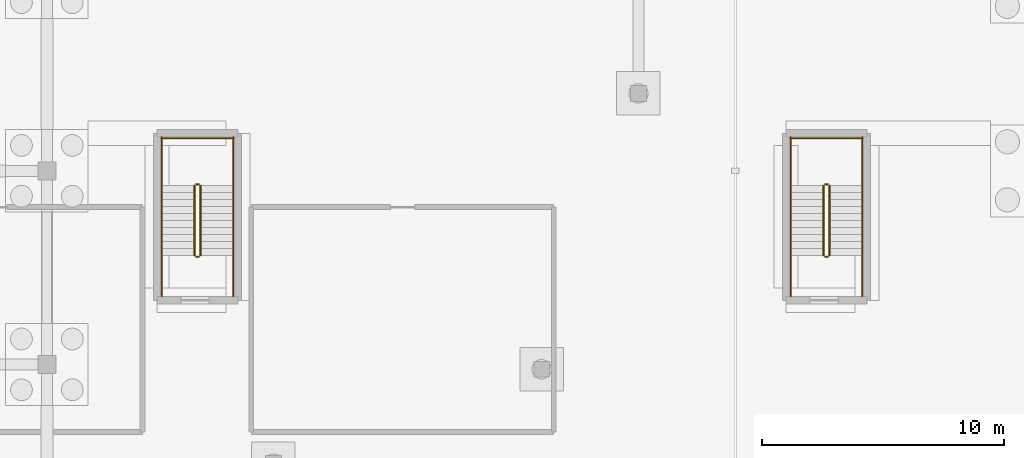
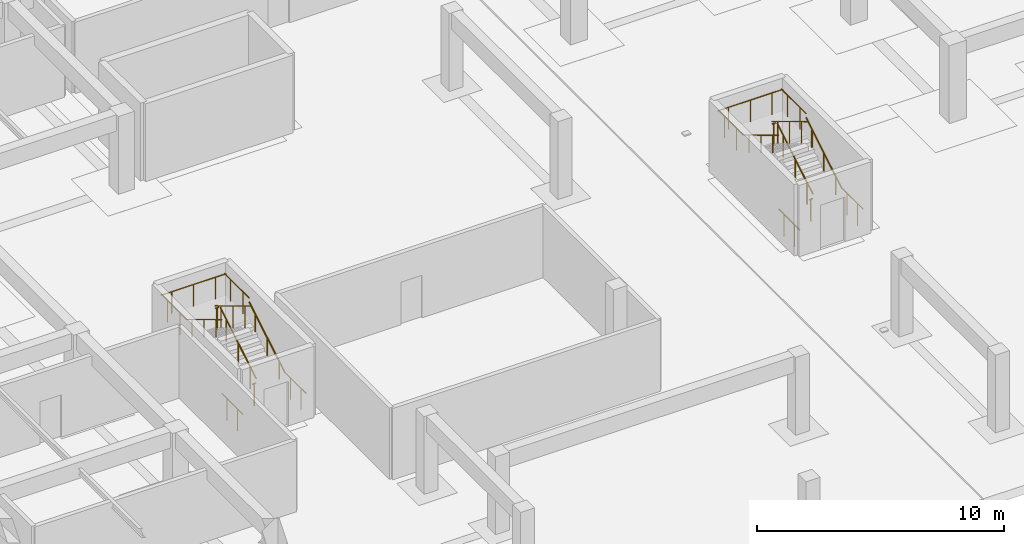
# One storey, part 33 of 35: 22 railings.
"""IFC4 building model written with IfcOpenShell, lengths in metres."""

from ifc_helpers import new_model, si_unit, direction, frame, origin, origin_2d, place, context, subcontext, project, spatial, circle, extrude, material, type_object, element, save


model = new_model("IFC4")

# Units and contexts
model_context = context("Model", 3, precision=1e-05, world=origin(), true_north=direction((0.0, 1.0)))
body_context = subcontext(model_context, "Body", "Model", "MODEL_VIEW")
ifc_project = project(units=[si_unit("LENGTHUNIT", "METRE"), si_unit("AREAUNIT", "SQUARE_METRE"), si_unit("VOLUMEUNIT", "CUBIC_METRE"), si_unit("PLANEANGLEUNIT", "RADIAN"), si_unit("MASSUNIT", "GRAM", prefix="KILO")], contexts=[model_context])

# Site, building, storey
site_placement = place(None, origin())
site = spatial("IfcSite", under=ifc_project, at=site_placement, CompositionType="ELEMENT")
building_placement = place(site_placement, origin())
building = spatial("IfcBuilding", under=site, at=building_placement, Name="Keldmere Railside Commons", CompositionType="ELEMENT")
storey_placement = place(building_placement, frame((0.0, 0.0, -3.840087890625)))
storey = spatial("IfcBuildingStorey", under=building, at=storey_placement, Name="B1", CompositionType="ELEMENT", Elevation=-3.840087890625)

# Railings
ifc_material = material(Name="Steel F-24 (S235)", Category="steel")
railing_type_1 = type_object("IfcRailingType", Name="Stair Well Steel Guardrail 1100", PredefinedType="BALUSTRADE", material=ifc_material)
railing_1_placement = place(storey_placement, frame((69.89990234375, 84.5, 0.174560546875)))
element("IfcRailing", 1, at=railing_1_placement, inside=storey, type_object=railing_type_1, Name="B1 ST-B3 stair guard 1", PredefinedType="BALUSTRADE", context=body_context, shape_type="SweptSolid", body=[
    extrude(circle(Radius=0.02392578125, at=origin_2d()), frame((0.0, 0.0, 1.076171875), z_axis=(0.0, 0.856753776629, 0.515725669549), x_axis=(-1.0, 0.0, 0.0)), (0.0, 0.0, 1.0), 3.384765625),
    extrude(circle(Radius=0.02099609375, at=origin_2d()), frame((0.0, 0.4833984375, 0.291015625)), (0.0, 0.0, 1.0), 1.048095703125),
    extrude(circle(Radius=0.02099609375, at=origin_2d()), frame((0.0, 1.449951171875, 0.872802734375)), (0.0, 0.0, 1.0), 1.048095703125),
    extrude(circle(Radius=0.02099609375, at=origin_2d()), frame((0.0, 2.41650390625, 1.45458984375)), (0.0, 0.0, 1.0), 1.048095703125),
])
railing_2_placement = place(storey_placement, frame((69.85009765625, 87.449951171875, 1.920166015625)))
element("IfcRailing", 2, at=railing_2_placement, inside=storey, type_object=railing_type_1, Name="B1 ST-B3 stair guard 2", PredefinedType="BALUSTRADE", context=body_context, shape_type="SweptSolid", body=[
    extrude(circle(Radius=0.02392578125, at=origin_2d()), frame((0.0, 0.0, 1.076171875), z_axis=(-1.0, 0.0, 0.0), x_axis=(0.0, -1.0, 0.0)), (0.0, 0.0, 1.0), 0.150146484375),
    extrude(circle(Radius=0.02099609375, at=origin_2d()), frame((-0.0751953125, 0.0, 0.0)), (0.0, 0.0, 1.0), 1.048095703125),
])
for number, where, name in (
    (3, (71.25, 87.39990234375, 1.920166015625), "B1 ST-B3 stair guard 3"),
    (4, (68.300048828125, 87.39990234375, 1.920166015625), "B1 ST-B3 stair guard 4"),
):
    element("IfcRailing", number, at=place(storey_placement, frame(where)), inside=storey, type_object=railing_type_1, Name=name, PredefinedType="BALUSTRADE", context=body_context, shape_type="SweptSolid", body=[
        extrude(circle(Radius=0.02392578125, at=origin_2d()), frame((0.0, 0.0, 1.076171875), z_axis=(0.0, 1.0, 0.0), x_axis=(-1.0, 0.0, 0.0)), (0.0, 0.0, 1.0), 2.0),
        extrude(circle(Radius=0.02099609375, at=origin_2d()), frame((0.0, 0.5, 0.0)), (0.0, 0.0, 1.0), 1.048095703125),
        extrude(circle(Radius=0.02099609375, at=origin_2d()), frame((0.0, 1.5, 0.0)), (0.0, 0.0, 1.0), 1.048095703125),
    ])
railing_3_placement = place(storey_placement, frame((71.300048828125, 89.35009765625, 1.920166015625)))
element("IfcRailing", 5, at=railing_3_placement, inside=storey, type_object=railing_type_1, Name="B1 ST-B3 stair guard 5", PredefinedType="BALUSTRADE", context=body_context, shape_type="SweptSolid", body=[
    extrude(circle(Radius=0.02392578125, at=origin_2d()), frame((0.0, 0.0, 1.076171875), z_axis=(-1.0, 0.0, 0.0), x_axis=(0.0, -1.0, 0.0)), (0.0, 0.0, 1.0), 3.050048828125),
    extrude(circle(Radius=0.02099609375, at=origin_2d()), frame((-0.50830078125, 0.0, 0.0)), (0.0, 0.0, 1.0), 1.048095703125),
    extrude(circle(Radius=0.02099609375, at=origin_2d()), frame((-1.52490234375, 0.0, 0.0)), (0.0, 0.0, 1.0), 1.048095703125),
    extrude(circle(Radius=0.02099609375, at=origin_2d()), frame((-2.541748046875, 0.0, 0.0)), (0.0, 0.0, 1.0), 1.048095703125),
])
railing_4_placement = place(storey_placement, frame((69.64990234375, 87.39990234375, 2.0947265625)))
element("IfcRailing", 6, at=railing_4_placement, inside=storey, type_object=railing_type_1, Name="B1 ST-B3 stair guard 6", PredefinedType="BALUSTRADE", context=body_context, shape_type="SweptSolid", body=[
    extrude(circle(Radius=0.02392578125, at=origin_2d()), frame((0.0, 0.0, 1.076171875), z_axis=(0.0, -0.856785646576, 0.515672721618), x_axis=(1.0, 0.0, 0.0)), (0.0, 0.0, 1.0), 3.384521484375),
    extrude(circle(Radius=0.02099609375, at=origin_2d()), frame((0.0, -0.4833984375, 0.291015625)), (0.0, 0.0, 1.0), 1.048095703125),
    extrude(circle(Radius=0.02099609375, at=origin_2d()), frame((0.0, -1.449951171875, 0.87255859375)), (0.0, 0.0, 1.0), 1.048095703125),
    extrude(circle(Radius=0.02099609375, at=origin_2d()), frame((0.0, -2.41650390625, 1.45458984375)), (0.0, 0.0, 1.0), 1.048095703125),
])
railing_5_placement = place(storey_placement, frame((69.85009765625, 84.449951171875, 0.0)))
element("IfcRailing", 7, at=railing_5_placement, inside=storey, type_object=railing_type_1, Name="B1 ST-B3 stair guard 7", PredefinedType="BALUSTRADE", context=body_context, shape_type="SweptSolid", body=[
    extrude(circle(Radius=0.02392578125, at=origin_2d()), frame((0.0, 0.0, 1.076171875), z_axis=(-1.0, 0.0, 0.0), x_axis=(0.0, -1.0, 0.0)), (0.0, 0.0, 1.0), 0.150146484375),
    extrude(circle(Radius=0.02099609375, at=origin_2d()), frame((-0.0751953125, 0.0, 0.0)), (0.0, 0.0, 1.0), 1.048095703125),
])
for number, where, name in (
    (8, (71.25, 82.800048828125, 0.0), "B1 ST-B3 stair guard 8"),
    (9, (68.300048828125, 82.800048828125, 0.0), "B1 ST-B3 stair guard 9"),
):
    element("IfcRailing", number, at=place(storey_placement, frame(where)), inside=storey, type_object=railing_type_1, Name=name, PredefinedType="BALUSTRADE", context=body_context, shape_type="SweptSolid", body=[
        extrude(circle(Radius=0.02392578125, at=origin_2d()), frame((0.0, 0.0, 1.076171875), z_axis=(0.0, 1.0, 0.0), x_axis=(-1.0, 0.0, 0.0)), (0.0, 0.0, 1.0), 1.699951171875),
        extrude(circle(Radius=0.02099609375, at=origin_2d()), frame((0.0, 0.425048828125, 0.0)), (0.0, 0.0, 1.0), 1.048095703125),
        extrude(circle(Radius=0.02099609375, at=origin_2d()), frame((0.0, 1.27490234375, 0.0)), (0.0, 0.0, 1.0), 1.048095703125),
    ])
railing_6_placement = place(storey_placement, frame((95.89990234375, 84.5, 0.174560546875)))
element("IfcRailing", 10, at=railing_6_placement, inside=storey, type_object=railing_type_1, Name="B1 ST-B4 stair guard 1", PredefinedType="BALUSTRADE", context=body_context, shape_type="SweptSolid", body=[
    extrude(circle(Radius=0.02392578125, at=origin_2d()), frame((0.0, 0.0, 1.076171875), z_axis=(0.0, 0.856753776629, 0.515725669549), x_axis=(-1.0, 0.0, 0.0)), (0.0, 0.0, 1.0), 3.384765625),
    extrude(circle(Radius=0.02099609375, at=origin_2d()), frame((0.0, 0.4833984375, 0.291015625)), (0.0, 0.0, 1.0), 1.048095703125),
    extrude(circle(Radius=0.02099609375, at=origin_2d()), frame((0.0, 1.449951171875, 0.872802734375)), (0.0, 0.0, 1.0), 1.048095703125),
    extrude(circle(Radius=0.02099609375, at=origin_2d()), frame((0.0, 2.41650390625, 1.45458984375)), (0.0, 0.0, 1.0), 1.048095703125),
])
railing_7_placement = place(storey_placement, frame((95.85009765625, 87.449951171875, 1.920166015625)))
element("IfcRailing", 11, at=railing_7_placement, inside=storey, type_object=railing_type_1, Name="B1 ST-B4 stair guard 2", PredefinedType="BALUSTRADE", context=body_context, shape_type="SweptSolid", body=[
    extrude(circle(Radius=0.02392578125, at=origin_2d()), frame((0.0, 0.0, 1.076171875), z_axis=(-1.0, 0.0, 0.0), x_axis=(0.0, -1.0, 0.0)), (0.0, 0.0, 1.0), 0.150146484375),
    extrude(circle(Radius=0.02099609375, at=origin_2d()), frame((-0.0751953125, 0.0, 0.0)), (0.0, 0.0, 1.0), 1.048095703125),
])
for number, where, name in (
    (12, (97.25, 87.39990234375, 1.920166015625), "B1 ST-B4 stair guard 3"),
    (13, (94.300048828125, 87.39990234375, 1.920166015625), "B1 ST-B4 stair guard 4"),
):
    element("IfcRailing", number, at=place(storey_placement, frame(where)), inside=storey, type_object=railing_type_1, Name=name, PredefinedType="BALUSTRADE", context=body_context, shape_type="SweptSolid", body=[
        extrude(circle(Radius=0.02392578125, at=origin_2d()), frame((0.0, 0.0, 1.076171875), z_axis=(0.0, 1.0, 0.0), x_axis=(-1.0, 0.0, 0.0)), (0.0, 0.0, 1.0), 2.0),
        extrude(circle(Radius=0.02099609375, at=origin_2d()), frame((0.0, 0.5, 0.0)), (0.0, 0.0, 1.0), 1.048095703125),
        extrude(circle(Radius=0.02099609375, at=origin_2d()), frame((0.0, 1.5, 0.0)), (0.0, 0.0, 1.0), 1.048095703125),
    ])
railing_8_placement = place(storey_placement, frame((97.300048828125, 89.35009765625, 1.920166015625)))
element("IfcRailing", 14, at=railing_8_placement, inside=storey, type_object=railing_type_1, Name="B1 ST-B4 stair guard 5", PredefinedType="BALUSTRADE", context=body_context, shape_type="SweptSolid", body=[
    extrude(circle(Radius=0.02392578125, at=origin_2d()), frame((0.0, 0.0, 1.076171875), z_axis=(-1.0, 0.0, 0.0), x_axis=(0.0, -1.0, 0.0)), (0.0, 0.0, 1.0), 3.050048828125),
    extrude(circle(Radius=0.02099609375, at=origin_2d()), frame((-0.50830078125, 0.0, 0.0)), (0.0, 0.0, 1.0), 1.048095703125),
    extrude(circle(Radius=0.02099609375, at=origin_2d()), frame((-1.52490234375, 0.0, 0.0)), (0.0, 0.0, 1.0), 1.048095703125),
    extrude(circle(Radius=0.02099609375, at=origin_2d()), frame((-2.541748046875, 0.0, 0.0)), (0.0, 0.0, 1.0), 1.048095703125),
])
railing_9_placement = place(storey_placement, frame((95.64990234375, 87.39990234375, 2.0947265625)))
element("IfcRailing", 15, at=railing_9_placement, inside=storey, type_object=railing_type_1, Name="B1 ST-B4 stair guard 6", PredefinedType="BALUSTRADE", context=body_context, shape_type="SweptSolid", body=[
    extrude(circle(Radius=0.02392578125, at=origin_2d()), frame((0.0, 0.0, 1.076171875), z_axis=(0.0, -0.856785646576, 0.515672721618), x_axis=(1.0, 0.0, 0.0)), (0.0, 0.0, 1.0), 3.384521484375),
    extrude(circle(Radius=0.02099609375, at=origin_2d()), frame((0.0, -0.4833984375, 0.291015625)), (0.0, 0.0, 1.0), 1.048095703125),
    extrude(circle(Radius=0.02099609375, at=origin_2d()), frame((0.0, -1.449951171875, 0.87255859375)), (0.0, 0.0, 1.0), 1.048095703125),
    extrude(circle(Radius=0.02099609375, at=origin_2d()), frame((0.0, -2.41650390625, 1.45458984375)), (0.0, 0.0, 1.0), 1.048095703125),
])
railing_10_placement = place(storey_placement, frame((95.85009765625, 84.449951171875, 0.0)))
element("IfcRailing", 16, at=railing_10_placement, inside=storey, type_object=railing_type_1, Name="B1 ST-B4 stair guard 7", PredefinedType="BALUSTRADE", context=body_context, shape_type="SweptSolid", body=[
    extrude(circle(Radius=0.02392578125, at=origin_2d()), frame((0.0, 0.0, 1.076171875), z_axis=(-1.0, 0.0, 0.0), x_axis=(0.0, -1.0, 0.0)), (0.0, 0.0, 1.0), 0.150146484375),
    extrude(circle(Radius=0.02099609375, at=origin_2d()), frame((-0.0751953125, 0.0, 0.0)), (0.0, 0.0, 1.0), 1.048095703125),
])
for number, where, name in (
    (17, (97.25, 82.800048828125, 0.0), "B1 ST-B4 stair guard 8"),
    (18, (94.300048828125, 82.800048828125, 0.0), "B1 ST-B4 stair guard 9"),
):
    element("IfcRailing", number, at=place(storey_placement, frame(where)), inside=storey, type_object=railing_type_1, Name=name, PredefinedType="BALUSTRADE", context=body_context, shape_type="SweptSolid", body=[
        extrude(circle(Radius=0.02392578125, at=origin_2d()), frame((0.0, 0.0, 1.076171875), z_axis=(0.0, 1.0, 0.0), x_axis=(-1.0, 0.0, 0.0)), (0.0, 0.0, 1.0), 1.699951171875),
        extrude(circle(Radius=0.02099609375, at=origin_2d()), frame((0.0, 0.425048828125, 0.0)), (0.0, 0.0, 1.0), 1.048095703125),
        extrude(circle(Radius=0.02099609375, at=origin_2d()), frame((0.0, 1.27490234375, 0.0)), (0.0, 0.0, 1.0), 1.048095703125),
    ])
railing_type_2 = type_object("IfcRailingType", Name="Wall-Mounted Tubular Steel Handrail 900", PredefinedType="HANDRAIL", material=ifc_material)
railing_11_placement = place(storey_placement, frame((71.25, 84.5, 0.174560546875)))
element("IfcRailing", 19, at=railing_11_placement, inside=storey, type_object=railing_type_2, Name="B1 ST-B3 stair handrail 1", PredefinedType="HANDRAIL", context=body_context, shape_type="SweptSolid", body=[
    extrude(circle(Radius=0.02392578125, at=origin_2d()), frame((0.0, 0.0, 0.8759765625), z_axis=(0.0, 0.856753776629, 0.515725669549), x_axis=(-1.0, 0.0, 0.0)), (0.0, 0.0, 1.0), 3.384765625),
    extrude(circle(Radius=0.02099609375, at=origin_2d()), frame((0.0, 0.4833984375, 0.291015625)), (0.0, 0.0, 1.0), 0.847900390625),
    extrude(circle(Radius=0.02099609375, at=origin_2d()), frame((0.0, 1.449951171875, 0.872802734375)), (0.0, 0.0, 1.0), 0.847900390625),
    extrude(circle(Radius=0.02099609375, at=origin_2d()), frame((0.0, 2.41650390625, 1.45458984375)), (0.0, 0.0, 1.0), 0.847900390625),
])
railing_12_placement = place(storey_placement, frame((68.300048828125, 87.39990234375, 2.0947265625)))
element("IfcRailing", 20, at=railing_12_placement, inside=storey, type_object=railing_type_2, Name="B1 ST-B3 stair handrail 2", PredefinedType="HANDRAIL", context=body_context, shape_type="SweptSolid", body=[
    extrude(circle(Radius=0.02392578125, at=origin_2d()), frame((0.0, 0.0, 0.8759765625), z_axis=(0.0, -0.856785646576, 0.515672721618), x_axis=(1.0, 0.0, 0.0)), (0.0, 0.0, 1.0), 3.384521484375),
    extrude(circle(Radius=0.02099609375, at=origin_2d()), frame((0.0, -0.4833984375, 0.291015625)), (0.0, 0.0, 1.0), 0.847900390625),
    extrude(circle(Radius=0.02099609375, at=origin_2d()), frame((0.0, -1.449951171875, 0.87255859375)), (0.0, 0.0, 1.0), 0.847900390625),
    extrude(circle(Radius=0.02099609375, at=origin_2d()), frame((0.0, -2.41650390625, 1.45458984375)), (0.0, 0.0, 1.0), 0.847900390625),
])
railing_13_placement = place(storey_placement, frame((97.25, 84.5, 0.174560546875)))
element("IfcRailing", 21, at=railing_13_placement, inside=storey, type_object=railing_type_2, Name="B1 ST-B4 stair handrail 1", PredefinedType="HANDRAIL", context=body_context, shape_type="SweptSolid", body=[
    extrude(circle(Radius=0.02392578125, at=origin_2d()), frame((0.0, 0.0, 0.8759765625), z_axis=(0.0, 0.856753776629, 0.515725669549), x_axis=(-1.0, 0.0, 0.0)), (0.0, 0.0, 1.0), 3.384765625),
    extrude(circle(Radius=0.02099609375, at=origin_2d()), frame((0.0, 0.4833984375, 0.291015625)), (0.0, 0.0, 1.0), 0.847900390625),
    extrude(circle(Radius=0.02099609375, at=origin_2d()), frame((0.0, 1.449951171875, 0.872802734375)), (0.0, 0.0, 1.0), 0.847900390625),
    extrude(circle(Radius=0.02099609375, at=origin_2d()), frame((0.0, 2.41650390625, 1.45458984375)), (0.0, 0.0, 1.0), 0.847900390625),
])
railing_14_placement = place(storey_placement, frame((94.300048828125, 87.39990234375, 2.0947265625)))
element("IfcRailing", 22, at=railing_14_placement, inside=storey, type_object=railing_type_2, Name="B1 ST-B4 stair handrail 2", PredefinedType="HANDRAIL", context=body_context, shape_type="SweptSolid", body=[
    extrude(circle(Radius=0.02392578125, at=origin_2d()), frame((0.0, 0.0, 0.8759765625), z_axis=(0.0, -0.856785646576, 0.515672721618), x_axis=(1.0, 0.0, 0.0)), (0.0, 0.0, 1.0), 3.384521484375),
    extrude(circle(Radius=0.02099609375, at=origin_2d()), frame((0.0, -0.4833984375, 0.291015625)), (0.0, 0.0, 1.0), 0.847900390625),
    extrude(circle(Radius=0.02099609375, at=origin_2d()), frame((0.0, -1.449951171875, 0.87255859375)), (0.0, 0.0, 1.0), 0.847900390625),
    extrude(circle(Radius=0.02099609375, at=origin_2d()), frame((0.0, -2.41650390625, 1.45458984375)), (0.0, 0.0, 1.0), 0.847900390625),
])

save(model, "model.ifc")
